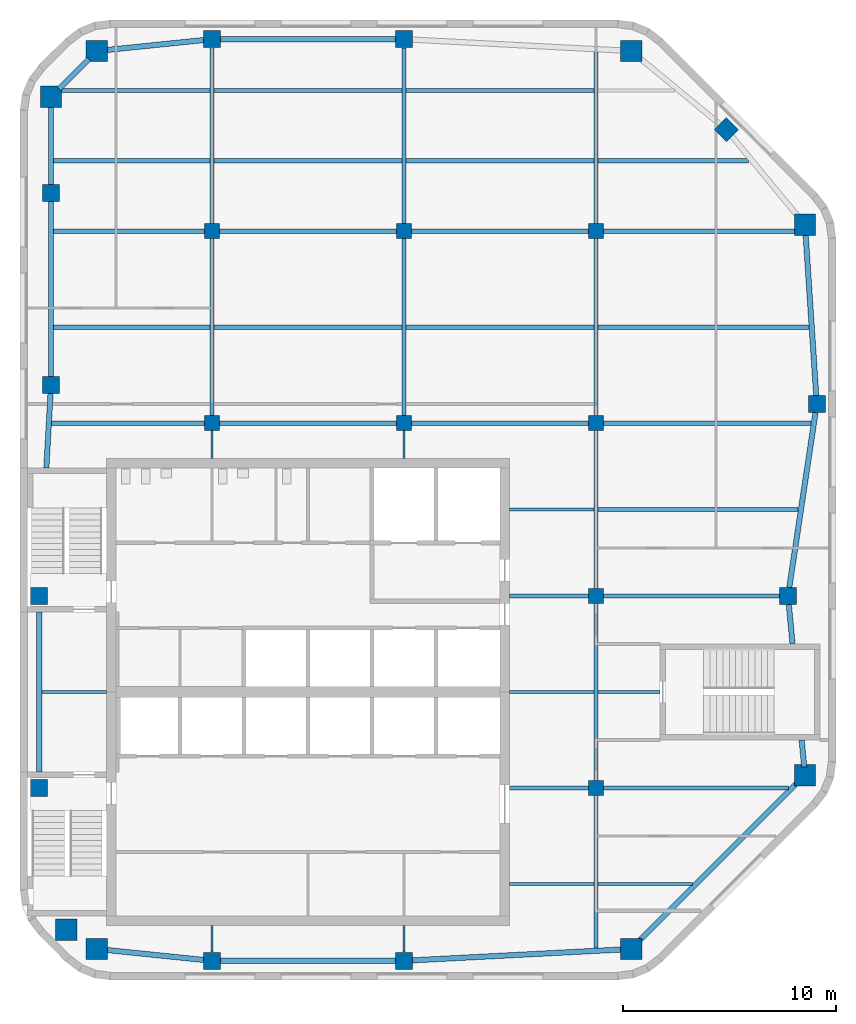
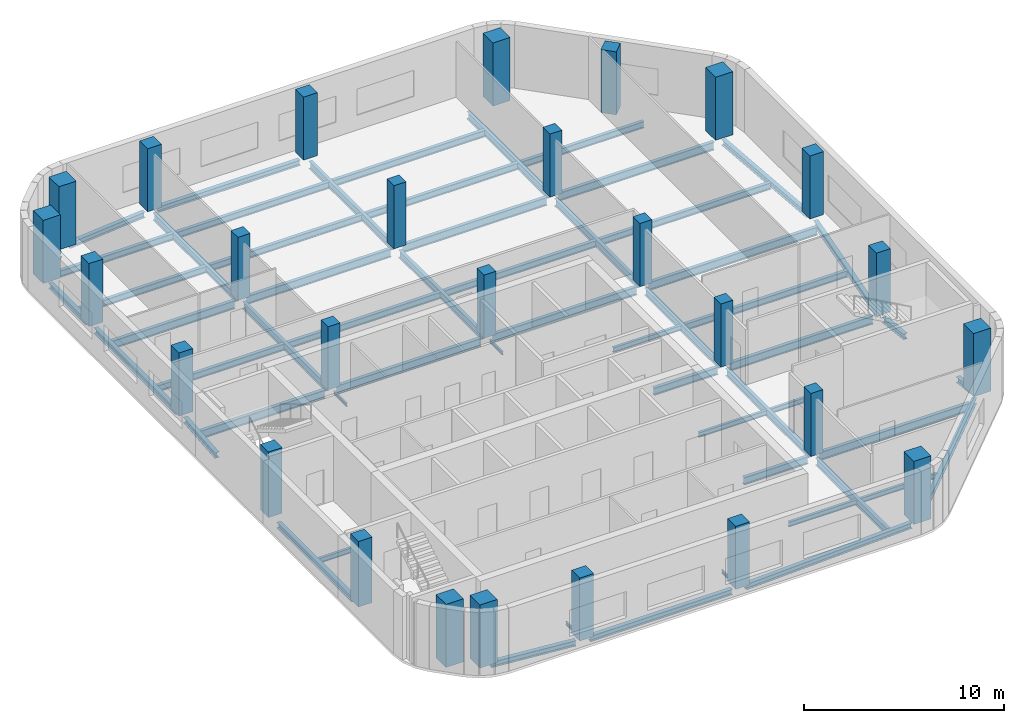
# One storey, part 1 of 7: 58 beams, 27 columns.
"""IFC4 building model written with IfcOpenShell, lengths in metres."""

from ifc_helpers import new_model, si_unit, direction, frame, origin, origin_2d, place, context, subcontext, project, spatial, rectangle, i_section, extrude, material, material_profile, profile_set, type_object, element, save


model = new_model("IFC4")

# Units and contexts
model_context = context("Model", 3, precision=1e-05, world=origin(), true_north=direction((0.0, 1.0)))
body_context = subcontext(model_context, "Body", "Model", "MODEL_VIEW")
ifc_project = project(units=[si_unit("LENGTHUNIT", "METRE"), si_unit("AREAUNIT", "SQUARE_METRE"), si_unit("VOLUMEUNIT", "CUBIC_METRE"), si_unit("PLANEANGLEUNIT", "RADIAN"), si_unit("MASSUNIT", "GRAM", prefix="KILO")], contexts=[model_context])

# Site, building, storey
site_placement = place(None, origin())
site = spatial("IfcSite", under=ifc_project, at=site_placement, CompositionType="ELEMENT")
building_placement = place(site_placement, origin())
building = spatial("IfcBuilding", under=site, at=building_placement, Name="Cinnabar Reach Civic Tower", CompositionType="ELEMENT")
storey_placement = place(building_placement, frame((0.0, 0.0, 275.0)))
storey = spatial("IfcBuildingStorey", under=building, at=storey_placement, Name="L66", CompositionType="ELEMENT", Elevation=275.0)

# Columns
ifc_material_1 = material(Name="Concrete C70", Category="concrete")
ifc_material_profile_1 = material_profile(ifc_material_1, rectangle(XDim=1.0, YDim=1.0, at=origin_2d()), Name="RC1000")
ifc_profile_set_1 = profile_set([ifc_material_profile_1], Name="Concrete C70")
column_type_1 = type_object("IfcColumnType", Name="RC1000 column R 240", PredefinedType="COLUMN", material=ifc_profile_set_1)
for number, where, z_axis, x_axis, name in (
    (1, (3.6019, 19.4531, 0.0), (0.0, 0.0, 1.0), (1.0, 0.0, 0.0), "Column T1-Z5-CC0"),
    (2, (28.6481, 19.4531, 0.0), (0.0, 0.0, 1.0), (1.0, 0.0, 0.0), "Column T1-Z5-CC1"),
    (3, (36.7969, 27.6019, 0.0), (0.0, 0.0, 1.0), (1.0, 0.0, 0.0), "Column T1-Z5-CC2"),
    (4, (36.7969, 53.3981, 0.0), (0.0, 0.0, 1.0), (1.0, 0.0, 0.0), "Column T1-Z5-CC3"),
    (5, (28.6481, 61.5469, 0.0), (0.0, 0.0, 1.0), (1.0, 0.0, 0.0), "Column T1-Z5-CC4"),
    (6, (3.6019, 61.5469, 0.0), (0.0, 0.0, 1.0), (1.0, 0.0, 0.0), "Column T1-Z5-CC5"),
    (7, (1.4531, 59.3981, 0.0), (0.0, 0.0, 1.0), (1.0, 0.0, 0.0), "Column T1-Z5-CC6"),
    (8, (2.1631, 20.35, 0.0), (0.0, 0.0, 1.0), (1.0, 0.0, 0.0), "Column T1-Z5-CC7"),
):
    element("IfcColumn", number, at=place(storey_placement, frame(where, z_axis=z_axis, x_axis=x_axis)), inside=storey, type_object=column_type_1, Name=name, PredefinedType="COLUMN", context=body_context, shape_type="SweptSolid", body=[
        extrude(rectangle(XDim=1.0, YDim=1.0, at=origin_2d()), origin(), (0.0, 0.0, 1.0), 3.85),
    ])
ifc_material_2 = material(Name="Concrete C60", Category="concrete")
ifc_material_profile_2 = material_profile(ifc_material_2, rectangle(XDim=0.7, YDim=0.7, at=origin_2d()), Name="RC700")
ifc_profile_set_2 = profile_set([ifc_material_profile_2], Name="Concrete C60")
column_type_2 = type_object("IfcColumnType", Name="RC700 column R 240", PredefinedType="COLUMN", material=ifc_profile_set_2)
for number, where, z_axis, x_axis, name in (
    (9, (9.0, 44.1, 0.0), (0.0, 0.0, 1.0), (1.0, 0.0, 0.0), "Column T1-Z5-I9_45"),
    (10, (9.0, 53.1, 0.0), (0.0, 0.0, 1.0), (1.0, 0.0, 0.0), "Column T1-Z5-I9_54"),
    (11, (18.0, 44.1, 0.0), (0.0, 0.0, 1.0), (1.0, 0.0, 0.0), "Column T1-Z5-I18_45"),
    (12, (18.0, 53.1, 0.0), (0.0, 0.0, 1.0), (1.0, 0.0, 0.0), "Column T1-Z5-I18_54"),
    (13, (27.0, 27.0, 0.0), (0.0, 0.0, 1.0), (1.0, 0.0, 0.0), "Column T1-Z5-I27_27"),
    (14, (27.0, 36.0, 0.0), (0.0, 0.0, 1.0), (1.0, 0.0, 0.0), "Column T1-Z5-I27_36"),
    (15, (27.0, 44.1, 0.0), (0.0, 0.0, 1.0), (1.0, 0.0, 0.0), "Column T1-Z5-I27_45"),
    (16, (27.0, 53.1, 0.0), (0.0, 0.0, 1.0), (1.0, 0.0, 0.0), "Column T1-Z5-I27_54"),
):
    element("IfcColumn", number, at=place(storey_placement, frame(where, z_axis=z_axis, x_axis=x_axis)), inside=storey, type_object=column_type_2, Name=name, PredefinedType="COLUMN", context=body_context, shape_type="SweptSolid", body=[
        extrude(rectangle(XDim=0.7, YDim=0.7, at=origin_2d()), origin(), (0.0, 0.0, 1.0), 3.85),
    ])
ifc_material_profile_3 = material_profile(ifc_material_2, rectangle(XDim=0.8, YDim=0.8, at=origin_2d()), Name="RC800")
ifc_profile_set_3 = profile_set([ifc_material_profile_3], Name="Concrete C60")
column_type_3 = type_object("IfcColumnType", Name="RC800 column R 240", PredefinedType="COLUMN", material=ifc_profile_set_3)
for number, where, z_axis, x_axis, name in (
    (17, (9.0, 18.9, 0.0), (0.0, 0.0, 1.0), (1.0, 0.0, 0.0), "Column T1-Z5-F0-1"),
    (18, (18.0, 18.9, 0.0), (0.0, 0.0, 1.0), (1.0, 0.0, 0.0), "Column T1-Z5-F0-2"),
    (19, (36.0, 36.0, 0.0), (0.0, 0.0, 1.0), (1.0, 0.0, 0.0), "Column T1-Z5-F2-4"),
    (20, (37.35, 45.0, 0.0), (0.0, 0.0, 1.0), (1.0, 0.0, 0.0), "Column T1-Z5-F2-5"),
    (21, (33.1136, 57.8636, 0.0), (0.0, 0.0, 1.0), (0.707106781187, 0.707106781187, 0.0), "Column T1-Z5-F3-M"),
    (22, (9.0, 62.1, 0.0), (0.0, 0.0, 1.0), (1.0, 0.0, 0.0), "Column T1-Z5-F4-1"),
    (23, (18.0, 62.1, 0.0), (0.0, 0.0, 1.0), (1.0, 0.0, 0.0), "Column T1-Z5-F4-2"),
):
    element("IfcColumn", number, at=place(storey_placement, frame(where, z_axis=z_axis, x_axis=x_axis)), inside=storey, type_object=column_type_3, Name=name, PredefinedType="COLUMN", context=body_context, shape_type="SweptSolid", body=[
        extrude(rectangle(XDim=0.8, YDim=0.8, at=origin_2d()), origin(), (0.0, 0.0, 1.0), 3.85),
    ])
for number, where, z_axis, x_axis, name in (
    (24, (0.9, 27.0, 0.0), (0.0, 0.0, 1.0), (1.0, 0.0, 0.0), "Column T1-Z5-F6-3"),
    (25, (0.9, 36.0, 0.0), (0.0, 0.0, 1.0), (1.0, 0.0, 0.0), "Column T1-Z5-F6-4"),
):
    element("IfcColumn", number, at=place(storey_placement, frame(where, z_axis=z_axis, x_axis=x_axis)), inside=storey, type_object=column_type_3, Name=name, PredefinedType="COLUMN", context=body_context, shape_type="SweptSolid", body=[
        extrude(rectangle(XDim=0.8, YDim=0.8, at=origin_2d()), origin(), (0.0, 0.0, 1.0), 4.0),
    ])
for number, where, z_axis, x_axis, name in (
    (26, (1.4531, 45.8981, 0.0), (0.0, 0.0, 1.0), (1.0, 0.0, 0.0), "Column T1-Z5-F6-5"),
    (27, (1.4531, 54.8981, 0.0), (0.0, 0.0, 1.0), (1.0, 0.0, 0.0), "Column T1-Z5-F6-6"),
):
    element("IfcColumn", number, at=place(storey_placement, frame(where, z_axis=z_axis, x_axis=x_axis)), inside=storey, type_object=column_type_3, Name=name, PredefinedType="COLUMN", context=body_context, shape_type="SweptSolid", body=[
        extrude(rectangle(XDim=0.8, YDim=0.8, at=origin_2d()), origin(), (0.0, 0.0, 1.0), 3.85),
    ])

# Beams
ifc_material_3 = material(Name="Steel Q355B", Category="steel")
ifc_material_profile_4 = material_profile(ifc_material_3, i_section(OverallWidth=0.25, OverallDepth=0.34, WebThickness=0.009, FlangeThickness=0.014, FilletRadius=0.013, at=origin_2d()), Name="HM340x250x9x14")
ifc_profile_set_4 = profile_set([ifc_material_profile_4], Name="Steel Q355B")
beam_type_1 = type_object("IfcBeamType", Name="HM340x250x9x14 beam R 180", PredefinedType="BEAM", material=ifc_profile_set_4)
beam_1_placement = place(storey_placement, frame((3.9839, 19.414, -0.32), z_axis=(0.994791084875, -0.101934770579, 0.0), x_axis=(0.101934770579, 0.994791084875, 0.0)))
element("IfcBeam", 28, at=beam_1_placement, inside=storey, type_object=beam_type_1, Name="Edge beam T1 L66 1", PredefinedType="BEAM", context=body_context, shape_type="SweptSolid", body=[
    extrude(i_section(OverallWidth=0.25, OverallDepth=0.34, WebThickness=0.009, FlangeThickness=0.014, FilletRadius=0.013, at=origin_2d()), origin(), (0.0, 0.0, 1.0), 4.6383),
])
beam_2_placement = place(storey_placement, frame((9.402, 18.9, -0.32), z_axis=(1.0, 0.0, 0.0), x_axis=(0.0, 1.0, 0.0)))
element("IfcBeam", 29, at=beam_2_placement, inside=storey, type_object=beam_type_1, Name="Edge beam T1 L66 2", PredefinedType="BEAM", context=body_context, shape_type="SweptSolid", body=[
    extrude(i_section(OverallWidth=0.25, OverallDepth=0.34, WebThickness=0.009, FlangeThickness=0.014, FilletRadius=0.013, at=origin_2d()), origin(), (0.0, 0.0, 1.0), 8.196),
])
beam_3_placement = place(storey_placement, frame((18.402, 18.9209, -0.32), z_axis=(0.998653533726, 0.051876001934, 0.0), x_axis=(-0.051876001934, 0.998653533726, 0.0)))
element("IfcBeam", 30, at=beam_3_placement, inside=storey, type_object=beam_type_1, Name="Edge beam T1 L66 3", PredefinedType="BEAM", context=body_context, shape_type="SweptSolid", body=[
    extrude(i_section(OverallWidth=0.25, OverallDepth=0.34, WebThickness=0.009, FlangeThickness=0.014, FilletRadius=0.013, at=origin_2d()), origin(), (0.0, 0.0, 1.0), 9.8774),
])
beam_4_placement = place(storey_placement, frame((29.0301, 19.8351, -0.32), z_axis=(0.707106781187, 0.707106781187, 0.0), x_axis=(-0.707106781187, 0.707106781187, 0.0)))
element("IfcBeam", 31, at=beam_4_placement, inside=storey, type_object=beam_type_1, Name="Edge beam T1 L66 4", PredefinedType="BEAM", context=body_context, shape_type="SweptSolid", body=[
    extrude(i_section(OverallWidth=0.25, OverallDepth=0.34, WebThickness=0.009, FlangeThickness=0.014, FilletRadius=0.013, at=origin_2d()), origin(), (0.0, 0.0, 1.0), 10.4437),
])
beam_5_placement = place(storey_placement, frame((36.7607, 27.9839, -0.32), z_axis=(-0.094504338241, 0.995524449752, 0.0), x_axis=(-0.995524449752, -0.094504338241, 0.0)))
element("IfcBeam", 32, at=beam_5_placement, inside=storey, type_object=beam_type_1, Name="Edge beam T1 L66 5", PredefinedType="BEAM", context=body_context, shape_type="SweptSolid", body=[
    extrude(i_section(OverallWidth=0.25, OverallDepth=0.34, WebThickness=0.009, FlangeThickness=0.014, FilletRadius=0.013, at=origin_2d()), origin(), (0.0, 0.0, 1.0), 1.2698),
])
beam_6_placement = place(storey_placement, frame((36.2133, 33.752, -0.32), z_axis=(-0.094483333102, 0.995526443529, 0.0), x_axis=(-0.995526443529, -0.094483333102, 0.0)))
element("IfcBeam", 33, at=beam_6_placement, inside=storey, type_object=beam_type_1, Name="Edge beam T1 L66 6", PredefinedType="BEAM", context=body_context, shape_type="SweptSolid", body=[
    extrude(i_section(OverallWidth=0.25, OverallDepth=0.34, WebThickness=0.009, FlangeThickness=0.014, FilletRadius=0.013, at=origin_2d()), origin(), (0.0, 0.0, 1.0), 1.8543),
])
beam_7_placement = place(storey_placement, frame((36.0603, 36.402, -0.32), z_axis=(0.14834045293, 0.988936352868, 0.0), x_axis=(-0.988936352868, 0.14834045293, 0.0)))
element("IfcBeam", 34, at=beam_7_placement, inside=storey, type_object=beam_type_1, Name="Edge beam T1 L66 7", PredefinedType="BEAM", context=body_context, shape_type="SweptSolid", body=[
    extrude(i_section(OverallWidth=0.25, OverallDepth=0.34, WebThickness=0.009, FlangeThickness=0.014, FilletRadius=0.013, at=origin_2d()), origin(), (0.0, 0.0, 1.0), 8.2877),
])
beam_8_placement = place(storey_placement, frame((37.3235, 45.402, -0.32), z_axis=(-0.065709195057, 0.997838815483, 0.0), x_axis=(-0.997838815483, -0.065709195057, 0.0)))
element("IfcBeam", 35, at=beam_8_placement, inside=storey, type_object=beam_type_1, Name="Edge beam T1 L66 8", PredefinedType="BEAM", context=body_context, shape_type="SweptSolid", body=[
    extrude(i_section(OverallWidth=0.25, OverallDepth=0.34, WebThickness=0.009, FlangeThickness=0.014, FilletRadius=0.013, at=origin_2d()), origin(), (0.0, 0.0, 1.0), 7.6306),
])
beam_9_placement = place(storey_placement, frame((17.598, 62.1, -0.32), z_axis=(-1.0, 0.0, 0.0), x_axis=(0.0, -1.0, 0.0)))
element("IfcBeam", 36, at=beam_9_placement, inside=storey, type_object=beam_type_1, Name="Edge beam T1 L66 12", PredefinedType="BEAM", context=body_context, shape_type="SweptSolid", body=[
    extrude(i_section(OverallWidth=0.25, OverallDepth=0.34, WebThickness=0.009, FlangeThickness=0.014, FilletRadius=0.013, at=origin_2d()), origin(), (0.0, 0.0, 1.0), 8.196),
])
beam_10_placement = place(storey_placement, frame((8.598, 62.0588, -0.32), z_axis=(-0.994791084875, -0.101934770579, 0.0), x_axis=(0.101934770579, -0.994791084875, 0.0)))
element("IfcBeam", 37, at=beam_10_placement, inside=storey, type_object=beam_type_1, Name="Edge beam T1 L66 13", PredefinedType="BEAM", context=body_context, shape_type="SweptSolid", body=[
    extrude(i_section(OverallWidth=0.25, OverallDepth=0.34, WebThickness=0.009, FlangeThickness=0.014, FilletRadius=0.013, at=origin_2d()), origin(), (0.0, 0.0, 1.0), 4.6383),
])
beam_11_placement = place(storey_placement, frame((3.2199, 61.1649, -0.32), z_axis=(-0.707106781187, -0.707106781187, 0.0), x_axis=(0.707106781187, -0.707106781187, 0.0)))
element("IfcBeam", 38, at=beam_11_placement, inside=storey, type_object=beam_type_1, Name="Edge beam T1 L66 14", PredefinedType="BEAM", context=body_context, shape_type="SweptSolid", body=[
    extrude(i_section(OverallWidth=0.25, OverallDepth=0.34, WebThickness=0.009, FlangeThickness=0.014, FilletRadius=0.013, at=origin_2d()), origin(), (0.0, 0.0, 1.0), 1.9584),
])
beam_12_placement = place(storey_placement, frame((1.4531, 59.0161, -0.32), z_axis=(0.0, -1.0, 0.0), x_axis=(1.0, 0.0, 0.0)))
element("IfcBeam", 39, at=beam_12_placement, inside=storey, type_object=beam_type_1, Name="Edge beam T1 L66 15", PredefinedType="BEAM", context=body_context, shape_type="SweptSolid", body=[
    extrude(i_section(OverallWidth=0.25, OverallDepth=0.34, WebThickness=0.009, FlangeThickness=0.014, FilletRadius=0.013, at=origin_2d()), origin(), (0.0, 0.0, 1.0), 3.716),
])
beam_13_placement = place(storey_placement, frame((1.4531, 54.4961, -0.32), z_axis=(0.0, -1.0, 0.0), x_axis=(1.0, 0.0, 0.0)))
element("IfcBeam", 40, at=beam_13_placement, inside=storey, type_object=beam_type_1, Name="Edge beam T1 L66 16", PredefinedType="BEAM", context=body_context, shape_type="SweptSolid", body=[
    extrude(i_section(OverallWidth=0.25, OverallDepth=0.34, WebThickness=0.009, FlangeThickness=0.014, FilletRadius=0.013, at=origin_2d()), origin(), (0.0, 0.0, 1.0), 8.196),
])
beam_14_placement = place(storey_placement, frame((1.4306, 45.4961, -0.32), z_axis=(-0.055778628236, -0.998443160441, 0.0), x_axis=(0.998443160441, -0.055778628236, 0.0)))
element("IfcBeam", 41, at=beam_14_placement, inside=storey, type_object=beam_type_1, Name="Edge beam T1 L66 17", PredefinedType="BEAM", context=body_context, shape_type="SweptSolid", body=[
    extrude(i_section(OverallWidth=0.25, OverallDepth=0.34, WebThickness=0.009, FlangeThickness=0.014, FilletRadius=0.013, at=origin_2d()), origin(), (0.0, 0.0, 1.0), 3.4995),
])
beam_15_placement = place(storey_placement, frame((0.9, 35.248, -0.32), z_axis=(0.0, -1.0, 0.0), x_axis=(1.0, 0.0, 0.0)))
element("IfcBeam", 42, at=beam_15_placement, inside=storey, type_object=beam_type_1, Name="Edge beam T1 L66 18", PredefinedType="BEAM", context=body_context, shape_type="SweptSolid", body=[
    extrude(i_section(OverallWidth=0.25, OverallDepth=0.34, WebThickness=0.009, FlangeThickness=0.014, FilletRadius=0.013, at=origin_2d()), origin(), (0.0, 0.0, 1.0), 7.496),
])
ifc_material_profile_5 = material_profile(ifc_material_3, i_section(OverallWidth=0.099, OverallDepth=0.198, WebThickness=0.0045, FlangeThickness=0.007, FilletRadius=0.013, at=origin_2d()), Name="HN200x100x5.5x8")
ifc_profile_set_5 = profile_set([ifc_material_profile_5], Name="Steel Q355B")
beam_type_2 = type_object("IfcBeamType", Name="HN200x100x5.5x8 beam R 180", PredefinedType="BEAM", material=ifc_profile_set_5)
beam_16_placement = place(storey_placement, frame((9.0, 19.302, -0.249), z_axis=(0.0, 1.0, 0.0), x_axis=(-1.0, 0.0, 0.0)))
element("IfcBeam", 43, at=beam_16_placement, inside=storey, type_object=beam_type_2, Name="Girder T1 L66 1", PredefinedType="BEAM", context=body_context, shape_type="SweptSolid", body=[
    extrude(i_section(OverallWidth=0.099, OverallDepth=0.198, WebThickness=0.0045, FlangeThickness=0.007, FilletRadius=0.013, at=origin_2d()), origin(), (0.0, 0.0, 1.0), 1.246),
])
beam_17_placement = place(storey_placement, frame((9.0, 42.452, -0.249), z_axis=(0.0, 1.0, 0.0), x_axis=(-1.0, 0.0, 0.0)))
element("IfcBeam", 44, at=beam_17_placement, inside=storey, type_object=beam_type_2, Name="Girder T1 L66 2", PredefinedType="BEAM", context=body_context, shape_type="SweptSolid", body=[
    extrude(i_section(OverallWidth=0.099, OverallDepth=0.198, WebThickness=0.0045, FlangeThickness=0.007, FilletRadius=0.013, at=origin_2d()), origin(), (0.0, 0.0, 1.0), 1.296),
])
beam_18_placement = place(storey_placement, frame((18.0, 19.302, -0.249), z_axis=(0.0, 1.0, 0.0), x_axis=(-1.0, 0.0, 0.0)))
element("IfcBeam", 45, at=beam_18_placement, inside=storey, type_object=beam_type_2, Name="Girder T1 L66 5", PredefinedType="BEAM", context=body_context, shape_type="SweptSolid", body=[
    extrude(i_section(OverallWidth=0.099, OverallDepth=0.198, WebThickness=0.0045, FlangeThickness=0.007, FilletRadius=0.013, at=origin_2d()), origin(), (0.0, 0.0, 1.0), 1.246),
])
beam_19_placement = place(storey_placement, frame((18.0, 42.452, -0.249), z_axis=(0.0, 1.0, 0.0), x_axis=(-1.0, 0.0, 0.0)))
element("IfcBeam", 46, at=beam_19_placement, inside=storey, type_object=beam_type_2, Name="Girder T1 L66 6", PredefinedType="BEAM", context=body_context, shape_type="SweptSolid", body=[
    extrude(i_section(OverallWidth=0.099, OverallDepth=0.198, WebThickness=0.0045, FlangeThickness=0.007, FilletRadius=0.013, at=origin_2d()), origin(), (0.0, 0.0, 1.0), 1.296),
])
ifc_material_profile_6 = material_profile(ifc_material_3, i_section(OverallWidth=0.15, OverallDepth=0.3, WebThickness=0.0065, FlangeThickness=0.009, FilletRadius=0.013, at=origin_2d()), Name="HN300x150x6.5x9")
ifc_profile_set_6 = profile_set([ifc_material_profile_6], Name="Steel Q355B")
beam_type_3 = type_object("IfcBeamType", Name="HN300x150x6.5x9 beam R 180", PredefinedType="BEAM", material=ifc_profile_set_6)
beam_20_placement = place(storey_placement, frame((22.952, 22.5, -0.3), z_axis=(1.0, 0.0, 0.0), x_axis=(0.0, 1.0, 0.0)))
element("IfcBeam", 47, at=beam_20_placement, inside=storey, type_object=beam_type_3, Name="Secondary beam T1 L66 1", PredefinedType="BEAM", context=body_context, shape_type="SweptSolid", body=[
    extrude(i_section(OverallWidth=0.15, OverallDepth=0.3, WebThickness=0.0065, FlangeThickness=0.009, FilletRadius=0.013, at=origin_2d()), origin(), (0.0, 0.0, 1.0), 3.946),
])
beam_21_placement = place(storey_placement, frame((27.102, 22.5, -0.3), z_axis=(1.0, 0.0, 0.0), x_axis=(0.0, 1.0, 0.0)))
element("IfcBeam", 48, at=beam_21_placement, inside=storey, type_object=beam_type_3, Name="Secondary beam T1 L66 2", PredefinedType="BEAM", context=body_context, shape_type="SweptSolid", body=[
    extrude(i_section(OverallWidth=0.15, OverallDepth=0.3, WebThickness=0.0065, FlangeThickness=0.009, FilletRadius=0.013, at=origin_2d()), origin(), (0.0, 0.0, 1.0), 4.4134),
])
beam_22_placement = place(storey_placement, frame((1.027, 31.5, -0.3), z_axis=(1.0, 0.0, 0.0), x_axis=(0.0, 1.0, 0.0)))
element("IfcBeam", 49, at=beam_22_placement, inside=storey, type_object=beam_type_3, Name="Secondary beam T1 L66 3", PredefinedType="BEAM", context=body_context, shape_type="SweptSolid", body=[
    extrude(i_section(OverallWidth=0.15, OverallDepth=0.3, WebThickness=0.0065, FlangeThickness=0.009, FilletRadius=0.013, at=origin_2d()), origin(), (0.0, 0.0, 1.0), 3.021),
])
beam_23_placement = place(storey_placement, frame((22.952, 31.5, -0.3), z_axis=(1.0, 0.0, 0.0), x_axis=(0.0, 1.0, 0.0)))
element("IfcBeam", 50, at=beam_23_placement, inside=storey, type_object=beam_type_3, Name="Secondary beam T1 L66 4", PredefinedType="BEAM", context=body_context, shape_type="SweptSolid", body=[
    extrude(i_section(OverallWidth=0.15, OverallDepth=0.3, WebThickness=0.0065, FlangeThickness=0.009, FilletRadius=0.013, at=origin_2d()), origin(), (0.0, 0.0, 1.0), 3.946),
])
beam_24_placement = place(storey_placement, frame((27.102, 31.5, -0.3), z_axis=(1.0, 0.0, 0.0), x_axis=(0.0, 1.0, 0.0)))
element("IfcBeam", 51, at=beam_24_placement, inside=storey, type_object=beam_type_3, Name="Secondary beam T1 L66 5", PredefinedType="BEAM", context=body_context, shape_type="SweptSolid", body=[
    extrude(i_section(OverallWidth=0.15, OverallDepth=0.3, WebThickness=0.0065, FlangeThickness=0.009, FilletRadius=0.013, at=origin_2d()), origin(), (0.0, 0.0, 1.0), 2.896),
])
beam_25_placement = place(storey_placement, frame((22.952, 40.05, -0.3), z_axis=(1.0, 0.0, 0.0), x_axis=(0.0, 1.0, 0.0)))
element("IfcBeam", 52, at=beam_25_placement, inside=storey, type_object=beam_type_3, Name="Secondary beam T1 L66 6", PredefinedType="BEAM", context=body_context, shape_type="SweptSolid", body=[
    extrude(i_section(OverallWidth=0.15, OverallDepth=0.3, WebThickness=0.0065, FlangeThickness=0.009, FilletRadius=0.013, at=origin_2d()), origin(), (0.0, 0.0, 1.0), 3.946),
])
ifc_material_profile_7 = material_profile(ifc_material_3, i_section(OverallWidth=0.2, OverallDepth=0.4, WebThickness=0.008, FlangeThickness=0.013, FilletRadius=0.016, at=origin_2d()), Name="HN400x200x8x13")
ifc_profile_set_7 = profile_set([ifc_material_profile_7], Name="Steel Q355B")
beam_type_4 = type_object("IfcBeamType", Name="HN400x200x8x13 beam R 180", PredefinedType="BEAM", material=ifc_profile_set_7)
beam_26_placement = place(storey_placement, frame((27.102, 40.05, -0.35), z_axis=(1.0, 0.0, 0.0), x_axis=(0.0, 1.0, 0.0)))
element("IfcBeam", 53, at=beam_26_placement, inside=storey, type_object=beam_type_4, Name="Secondary beam T1 L66 7", PredefinedType="BEAM", context=body_context, shape_type="SweptSolid", body=[
    extrude(i_section(OverallWidth=0.2, OverallDepth=0.4, WebThickness=0.008, FlangeThickness=0.013, FilletRadius=0.016, at=origin_2d()), origin(), (0.0, 0.0, 1.0), 9.3771),
])
beam_27_placement = place(storey_placement, frame((1.5801, 48.6, -0.35), z_axis=(1.0, 0.0, 0.0), x_axis=(0.0, 1.0, 0.0)))
element("IfcBeam", 54, at=beam_27_placement, inside=storey, type_object=beam_type_4, Name="Secondary beam T1 L66 8", PredefinedType="BEAM", context=body_context, shape_type="SweptSolid", body=[
    extrude(i_section(OverallWidth=0.2, OverallDepth=0.4, WebThickness=0.008, FlangeThickness=0.013, FilletRadius=0.016, at=origin_2d()), origin(), (0.0, 0.0, 1.0), 7.3179),
])
for number, where, z_axis, x_axis, name in (
    (55, (9.102, 48.6, -0.35), (1.0, 0.0, 0.0), (0.0, 1.0, 0.0), "Secondary beam T1 L66 9"),
    (56, (18.102, 48.6, -0.35), (1.0, 0.0, 0.0), (0.0, 1.0, 0.0), "Secondary beam T1 L66 10"),
):
    element("IfcBeam", number, at=place(storey_placement, frame(where, z_axis=z_axis, x_axis=x_axis)), inside=storey, type_object=beam_type_4, Name=name, PredefinedType="BEAM", context=body_context, shape_type="SweptSolid", body=[
        extrude(i_section(OverallWidth=0.2, OverallDepth=0.4, WebThickness=0.008, FlangeThickness=0.013, FilletRadius=0.016, at=origin_2d()), origin(), (0.0, 0.0, 1.0), 8.796),
    ])
beam_28_placement = place(storey_placement, frame((27.102, 48.6, -0.35), z_axis=(1.0, 0.0, 0.0), x_axis=(0.0, 1.0, 0.0)))
element("IfcBeam", 57, at=beam_28_placement, inside=storey, type_object=beam_type_4, Name="Secondary beam T1 L66 11", PredefinedType="BEAM", context=body_context, shape_type="SweptSolid", body=[
    extrude(i_section(OverallWidth=0.2, OverallDepth=0.4, WebThickness=0.008, FlangeThickness=0.013, FilletRadius=0.016, at=origin_2d()), origin(), (0.0, 0.0, 1.0), 9.8836),
])
beam_29_placement = place(storey_placement, frame((1.5801, 56.4, -0.35), z_axis=(1.0, 0.0, 0.0), x_axis=(0.0, 1.0, 0.0)))
element("IfcBeam", 58, at=beam_29_placement, inside=storey, type_object=beam_type_4, Name="Secondary beam T1 L66 12", PredefinedType="BEAM", context=body_context, shape_type="SweptSolid", body=[
    extrude(i_section(OverallWidth=0.2, OverallDepth=0.4, WebThickness=0.008, FlangeThickness=0.013, FilletRadius=0.016, at=origin_2d()), origin(), (0.0, 0.0, 1.0), 7.3179),
])
for number, where, z_axis, x_axis, name in (
    (59, (9.102, 56.4, -0.35), (1.0, 0.0, 0.0), (0.0, 1.0, 0.0), "Secondary beam T1 L66 13"),
    (60, (18.102, 56.4, -0.35), (1.0, 0.0, 0.0), (0.0, 1.0, 0.0), "Secondary beam T1 L66 14"),
):
    element("IfcBeam", number, at=place(storey_placement, frame(where, z_axis=z_axis, x_axis=x_axis)), inside=storey, type_object=beam_type_4, Name=name, PredefinedType="BEAM", context=body_context, shape_type="SweptSolid", body=[
        extrude(i_section(OverallWidth=0.2, OverallDepth=0.4, WebThickness=0.008, FlangeThickness=0.013, FilletRadius=0.016, at=origin_2d()), origin(), (0.0, 0.0, 1.0), 8.796),
    ])
beam_30_placement = place(storey_placement, frame((27.102, 56.4, -0.35), z_axis=(1.0, 0.0, 0.0), x_axis=(0.0, 1.0, 0.0)))
element("IfcBeam", 61, at=beam_30_placement, inside=storey, type_object=beam_type_4, Name="Secondary beam T1 L66 15", PredefinedType="BEAM", context=body_context, shape_type="SweptSolid", body=[
    extrude(i_section(OverallWidth=0.2, OverallDepth=0.4, WebThickness=0.008, FlangeThickness=0.013, FilletRadius=0.016, at=origin_2d()), origin(), (0.0, 0.0, 1.0), 7.0542),
])
beam_31_placement = place(storey_placement, frame((1.9551, 59.7, -0.35), z_axis=(1.0, 0.0, 0.0), x_axis=(0.0, 1.0, 0.0)))
element("IfcBeam", 62, at=beam_31_placement, inside=storey, type_object=beam_type_4, Name="Secondary beam T1 L66 16", PredefinedType="BEAM", context=body_context, shape_type="SweptSolid", body=[
    extrude(i_section(OverallWidth=0.2, OverallDepth=0.4, WebThickness=0.008, FlangeThickness=0.013, FilletRadius=0.016, at=origin_2d()), origin(), (0.0, 0.0, 1.0), 6.9429),
])
for number, where, z_axis, x_axis, name in (
    (63, (9.102, 59.7, -0.35), (1.0, 0.0, 0.0), (0.0, 1.0, 0.0), "Secondary beam T1 L66 17"),
    (64, (18.102, 59.7, -0.35), (1.0, 0.0, 0.0), (0.0, 1.0, 0.0), "Secondary beam T1 L66 18"),
):
    element("IfcBeam", number, at=place(storey_placement, frame(where, z_axis=z_axis, x_axis=x_axis)), inside=storey, type_object=beam_type_4, Name=name, PredefinedType="BEAM", context=body_context, shape_type="SweptSolid", body=[
        extrude(i_section(OverallWidth=0.2, OverallDepth=0.4, WebThickness=0.008, FlangeThickness=0.013, FilletRadius=0.016, at=origin_2d()), origin(), (0.0, 0.0, 1.0), 8.796),
    ])
ifc_material_profile_8 = material_profile(ifc_material_3, i_section(OverallWidth=0.2, OverallDepth=0.45, WebThickness=0.009, FlangeThickness=0.014, FilletRadius=0.016, at=origin_2d()), Name="HN450x200x9x14")
ifc_profile_set_8 = profile_set([ifc_material_profile_8], Name="Steel Q355B")
beam_type_5 = type_object("IfcBeamType", Name="HN450x200x9x14 beam R 180", PredefinedType="BEAM", material=ifc_profile_set_8)
for number, where, z_axis, x_axis, name in (
    (65, (22.952, 27.0, -0.375), (1.0, 0.0, 0.0), (0.0, 1.0, 0.0), "Girder T1 L66 1"),
    (66, (22.952, 36.0, -0.375), (1.0, 0.0, 0.0), (0.0, 1.0, 0.0), "Girder T1 L66 3"),
):
    element("IfcBeam", number, at=place(storey_placement, frame(where, z_axis=z_axis, x_axis=x_axis)), inside=storey, type_object=beam_type_5, Name=name, PredefinedType="BEAM", context=body_context, shape_type="SweptSolid", body=[
        extrude(i_section(OverallWidth=0.2, OverallDepth=0.45, WebThickness=0.009, FlangeThickness=0.014, FilletRadius=0.016, at=origin_2d()), origin(), (0.0, 0.0, 1.0), 3.696),
    ])
beam_32_placement = place(storey_placement, frame((9.0, 44.452, -0.375), z_axis=(0.0, 1.0, 0.0), x_axis=(-1.0, 0.0, 0.0)))
element("IfcBeam", 67, at=beam_32_placement, inside=storey, type_object=beam_type_5, Name="Girder T1 L66 3", PredefinedType="BEAM", context=body_context, shape_type="SweptSolid", body=[
    extrude(i_section(OverallWidth=0.2, OverallDepth=0.45, WebThickness=0.009, FlangeThickness=0.014, FilletRadius=0.016, at=origin_2d()), origin(), (0.0, 0.0, 1.0), 8.296),
])
beam_33_placement = place(storey_placement, frame((9.0, 53.452, -0.375), z_axis=(0.0, 1.0, 0.0), x_axis=(-1.0, 0.0, 0.0)))
element("IfcBeam", 68, at=beam_33_placement, inside=storey, type_object=beam_type_5, Name="Girder T1 L66 4", PredefinedType="BEAM", context=body_context, shape_type="SweptSolid", body=[
    extrude(i_section(OverallWidth=0.2, OverallDepth=0.45, WebThickness=0.009, FlangeThickness=0.014, FilletRadius=0.016, at=origin_2d()), origin(), (0.0, 0.0, 1.0), 8.246),
])
beam_34_placement = place(storey_placement, frame((18.0, 44.452, -0.375), z_axis=(0.0, 1.0, 0.0), x_axis=(-1.0, 0.0, 0.0)))
element("IfcBeam", 69, at=beam_34_placement, inside=storey, type_object=beam_type_5, Name="Girder T1 L66 7", PredefinedType="BEAM", context=body_context, shape_type="SweptSolid", body=[
    extrude(i_section(OverallWidth=0.2, OverallDepth=0.45, WebThickness=0.009, FlangeThickness=0.014, FilletRadius=0.016, at=origin_2d()), origin(), (0.0, 0.0, 1.0), 8.296),
])
beam_35_placement = place(storey_placement, frame((18.0, 53.452, -0.375), z_axis=(0.0, 1.0, 0.0), x_axis=(-1.0, 0.0, 0.0)))
element("IfcBeam", 70, at=beam_35_placement, inside=storey, type_object=beam_type_5, Name="Girder T1 L66 8", PredefinedType="BEAM", context=body_context, shape_type="SweptSolid", body=[
    extrude(i_section(OverallWidth=0.2, OverallDepth=0.45, WebThickness=0.009, FlangeThickness=0.014, FilletRadius=0.016, at=origin_2d()), origin(), (0.0, 0.0, 1.0), 8.246),
])
beam_36_placement = place(storey_placement, frame((27.0, 19.4947, -0.375), z_axis=(0.0, 1.0, 0.0), x_axis=(-1.0, 0.0, 0.0)))
element("IfcBeam", 71, at=beam_36_placement, inside=storey, type_object=beam_type_5, Name="Girder T1 L66 9", PredefinedType="BEAM", context=body_context, shape_type="SweptSolid", body=[
    extrude(i_section(OverallWidth=0.2, OverallDepth=0.45, WebThickness=0.009, FlangeThickness=0.014, FilletRadius=0.016, at=origin_2d()), origin(), (0.0, 0.0, 1.0), 7.1533),
])
beam_37_placement = place(storey_placement, frame((27.0, 27.352, -0.375), z_axis=(0.0, 1.0, 0.0), x_axis=(-1.0, 0.0, 0.0)))
element("IfcBeam", 72, at=beam_37_placement, inside=storey, type_object=beam_type_5, Name="Girder T1 L66 10", PredefinedType="BEAM", context=body_context, shape_type="SweptSolid", body=[
    extrude(i_section(OverallWidth=0.2, OverallDepth=0.45, WebThickness=0.009, FlangeThickness=0.014, FilletRadius=0.016, at=origin_2d()), origin(), (0.0, 0.0, 1.0), 8.296),
])
beam_38_placement = place(storey_placement, frame((27.0, 36.352, -0.375), z_axis=(0.0, 1.0, 0.0), x_axis=(-1.0, 0.0, 0.0)))
element("IfcBeam", 73, at=beam_38_placement, inside=storey, type_object=beam_type_5, Name="Girder T1 L66 11", PredefinedType="BEAM", context=body_context, shape_type="SweptSolid", body=[
    extrude(i_section(OverallWidth=0.2, OverallDepth=0.45, WebThickness=0.009, FlangeThickness=0.014, FilletRadius=0.016, at=origin_2d()), origin(), (0.0, 0.0, 1.0), 7.396),
])
beam_39_placement = place(storey_placement, frame((27.0, 44.452, -0.375), z_axis=(0.0, 1.0, 0.0), x_axis=(-1.0, 0.0, 0.0)))
element("IfcBeam", 74, at=beam_39_placement, inside=storey, type_object=beam_type_5, Name="Girder T1 L66 12", PredefinedType="BEAM", context=body_context, shape_type="SweptSolid", body=[
    extrude(i_section(OverallWidth=0.2, OverallDepth=0.45, WebThickness=0.009, FlangeThickness=0.014, FilletRadius=0.016, at=origin_2d()), origin(), (0.0, 0.0, 1.0), 8.296),
])
beam_40_placement = place(storey_placement, frame((27.0, 53.452, -0.375), z_axis=(0.0, 1.0, 0.0), x_axis=(-1.0, 0.0, 0.0)))
element("IfcBeam", 75, at=beam_40_placement, inside=storey, type_object=beam_type_5, Name="Girder T1 L66 13", PredefinedType="BEAM", context=body_context, shape_type="SweptSolid", body=[
    extrude(i_section(OverallWidth=0.2, OverallDepth=0.45, WebThickness=0.009, FlangeThickness=0.014, FilletRadius=0.016, at=origin_2d()), origin(), (0.0, 0.0, 1.0), 8.0533),
])
ifc_material_profile_9 = material_profile(ifc_material_3, i_section(OverallWidth=0.2, OverallDepth=0.5, WebThickness=0.01, FlangeThickness=0.016, FilletRadius=0.016, at=origin_2d()), Name="HN500x200x10x16")
ifc_profile_set_9 = profile_set([ifc_material_profile_9], Name="Steel Q355B")
beam_type_6 = type_object("IfcBeamType", Name="HN500x200x10x16 beam R 180", PredefinedType="BEAM", material=ifc_profile_set_9)
beam_41_placement = place(storey_placement, frame((27.352, 27.0, -0.4), z_axis=(1.0, 0.0, 0.0), x_axis=(0.0, 1.0, 0.0)))
element("IfcBeam", 76, at=beam_41_placement, inside=storey, type_object=beam_type_6, Name="Girder T1 L66 2", PredefinedType="BEAM", context=body_context, shape_type="SweptSolid", body=[
    extrude(i_section(OverallWidth=0.2, OverallDepth=0.5, WebThickness=0.01, FlangeThickness=0.016, FilletRadius=0.016, at=origin_2d()), origin(), (0.0, 0.0, 1.0), 8.6634),
])
beam_42_placement = place(storey_placement, frame((27.352, 36.0, -0.4), z_axis=(1.0, 0.0, 0.0), x_axis=(0.0, 1.0, 0.0)))
element("IfcBeam", 77, at=beam_42_placement, inside=storey, type_object=beam_type_6, Name="Girder T1 L66 4", PredefinedType="BEAM", context=body_context, shape_type="SweptSolid", body=[
    extrude(i_section(OverallWidth=0.2, OverallDepth=0.5, WebThickness=0.01, FlangeThickness=0.016, FilletRadius=0.016, at=origin_2d()), origin(), (0.0, 0.0, 1.0), 8.246),
])
beam_43_placement = place(storey_placement, frame((1.4798, 44.1, -0.4), z_axis=(1.0, 0.0, 0.0), x_axis=(0.0, 1.0, 0.0)))
element("IfcBeam", 78, at=beam_43_placement, inside=storey, type_object=beam_type_6, Name="Girder T1 L66 5", PredefinedType="BEAM", context=body_context, shape_type="SweptSolid", body=[
    extrude(i_section(OverallWidth=0.2, OverallDepth=0.5, WebThickness=0.01, FlangeThickness=0.016, FilletRadius=0.016, at=origin_2d()), origin(), (0.0, 0.0, 1.0), 7.1682),
])
for number, where, z_axis, x_axis, name in (
    (79, (9.352, 44.1, -0.4), (1.0, 0.0, 0.0), (0.0, 1.0, 0.0), "Girder T1 L66 6"),
    (80, (18.352, 44.1, -0.4), (1.0, 0.0, 0.0), (0.0, 1.0, 0.0), "Girder T1 L66 7"),
):
    element("IfcBeam", number, at=place(storey_placement, frame(where, z_axis=z_axis, x_axis=x_axis)), inside=storey, type_object=beam_type_6, Name=name, PredefinedType="BEAM", context=body_context, shape_type="SweptSolid", body=[
        extrude(i_section(OverallWidth=0.2, OverallDepth=0.5, WebThickness=0.01, FlangeThickness=0.016, FilletRadius=0.016, at=origin_2d()), origin(), (0.0, 0.0, 1.0), 8.296),
    ])
beam_44_placement = place(storey_placement, frame((27.352, 44.1, -0.4), z_axis=(1.0, 0.0, 0.0), x_axis=(0.0, 1.0, 0.0)))
element("IfcBeam", 81, at=beam_44_placement, inside=storey, type_object=beam_type_6, Name="Girder T1 L66 8", PredefinedType="BEAM", context=body_context, shape_type="SweptSolid", body=[
    extrude(i_section(OverallWidth=0.2, OverallDepth=0.5, WebThickness=0.01, FlangeThickness=0.016, FilletRadius=0.016, at=origin_2d()), origin(), (0.0, 0.0, 1.0), 9.7346),
])
beam_45_placement = place(storey_placement, frame((1.5801, 53.1, -0.4), z_axis=(1.0, 0.0, 0.0), x_axis=(0.0, 1.0, 0.0)))
element("IfcBeam", 82, at=beam_45_placement, inside=storey, type_object=beam_type_6, Name="Girder T1 L66 9", PredefinedType="BEAM", context=body_context, shape_type="SweptSolid", body=[
    extrude(i_section(OverallWidth=0.2, OverallDepth=0.5, WebThickness=0.01, FlangeThickness=0.016, FilletRadius=0.016, at=origin_2d()), origin(), (0.0, 0.0, 1.0), 7.0679),
])
for number, where, z_axis, x_axis, name in (
    (83, (9.352, 53.1, -0.4), (1.0, 0.0, 0.0), (0.0, 1.0, 0.0), "Girder T1 L66 10"),
    (84, (18.352, 53.1, -0.4), (1.0, 0.0, 0.0), (0.0, 1.0, 0.0), "Girder T1 L66 11"),
):
    element("IfcBeam", number, at=place(storey_placement, frame(where, z_axis=z_axis, x_axis=x_axis)), inside=storey, type_object=beam_type_6, Name=name, PredefinedType="BEAM", context=body_context, shape_type="SweptSolid", body=[
        extrude(i_section(OverallWidth=0.2, OverallDepth=0.5, WebThickness=0.01, FlangeThickness=0.016, FilletRadius=0.016, at=origin_2d()), origin(), (0.0, 0.0, 1.0), 8.296),
    ])
beam_46_placement = place(storey_placement, frame((27.352, 53.1, -0.4), z_axis=(1.0, 0.0, 0.0), x_axis=(0.0, 1.0, 0.0)))
element("IfcBeam", 85, at=beam_46_placement, inside=storey, type_object=beam_type_6, Name="Girder T1 L66 12", PredefinedType="BEAM", context=body_context, shape_type="SweptSolid", body=[
    extrude(i_section(OverallWidth=0.2, OverallDepth=0.5, WebThickness=0.01, FlangeThickness=0.016, FilletRadius=0.016, at=origin_2d()), origin(), (0.0, 0.0, 1.0), 8.9429),
])

save(model, "model.ifc")
